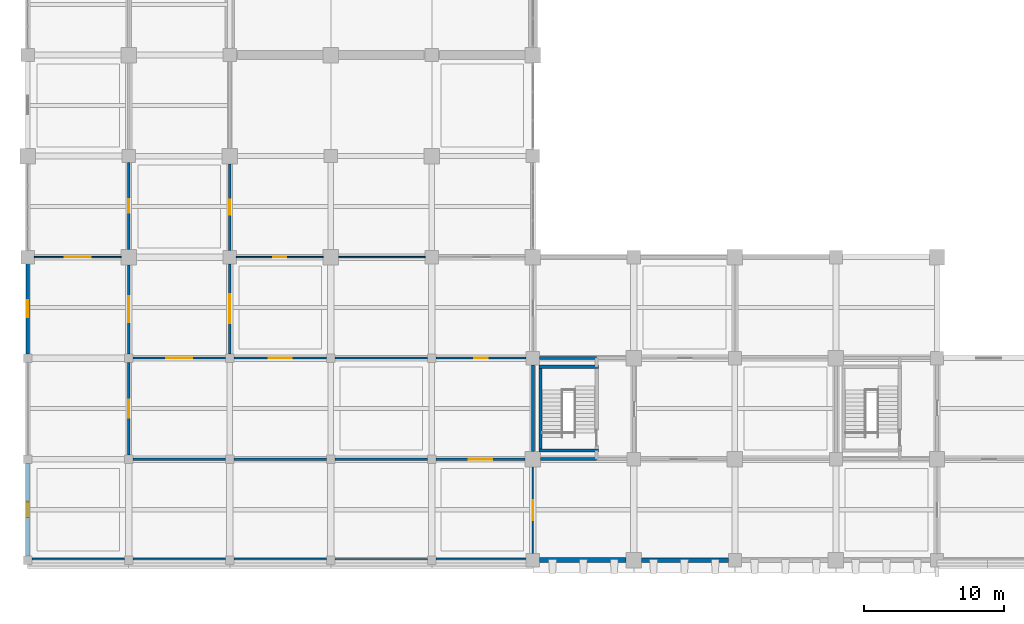
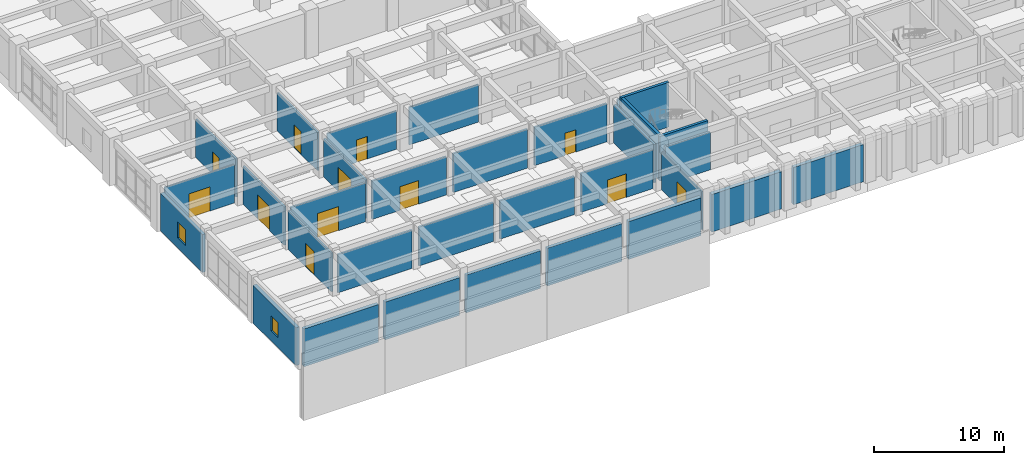
# One storey, part 59 of 81: 32 walls, 12 doors, 2 windows, 14 openings.
"""IFC4 building model written with IfcOpenShell, lengths in metres."""

from ifc_helpers import new_model, si_unit, direction, frame, frame_2d, origin, place, context, subcontext, project, spatial, rectangle, extrude, material, layer, layer_set, type_object, element, fill, save


model = new_model("IFC4")

# Units and contexts
model_context = context("Model", 3, precision=1e-05, world=origin(), true_north=direction((0.0, 1.0)))
body_context = subcontext(model_context, "Body", "Model", "MODEL_VIEW")
ifc_project = project(units=[si_unit("LENGTHUNIT", "METRE"), si_unit("AREAUNIT", "SQUARE_METRE"), si_unit("VOLUMEUNIT", "CUBIC_METRE"), si_unit("PLANEANGLEUNIT", "RADIAN"), si_unit("MASSUNIT", "GRAM", prefix="KILO")], contexts=[model_context])

# Site, building, storey
site_placement = place(None, origin())
site = spatial("IfcSite", under=ifc_project, at=site_placement, CompositionType="ELEMENT")
building_placement = place(site_placement, origin())
building = spatial("IfcBuilding", under=site, at=building_placement, Name="Kavelor Marine Aquarium", CompositionType="ELEMENT")
storey_placement = place(building_placement, frame((0.0, 0.0, 4.679931640625)))
storey = spatial("IfcBuildingStorey", under=building, at=storey_placement, Name="L01", CompositionType="ELEMENT", Elevation=4.679931640625)

# Walls
ifc_material_1 = material(Name="Concrete C45/55", Category="concrete")
ifc_layer_1 = layer(ifc_material_1, 0.360107421875)
ifc_layer_set_1 = layer_set([ifc_layer_1], Name="WL-EX1")
wall_type_1 = type_object("IfcWallType", Name="WL-EX1", PredefinedType="STANDARD", material=ifc_layer_set_1)
wall_1_placement = place(storey_placement, frame((45.85498046875, 2.800048828125, 0.0), z_axis=(0.0, 0.0, 1.0), x_axis=(-1.0, 0.0, 0.0)))
element("IfcWall", 1, at=wall_1_placement, inside=storey, type_object=wall_type_1, Name="ew:x:L01:05_00", PredefinedType="STANDARD", context=body_context, shape_type="SweptSolid", body=[
    extrude(rectangle(XDim=6.18505859375, YDim=0.360107421875, at=frame_2d((3.092529296875, 0.0))), origin(), (0.0, 0.0, 1.0), 3.510009765625),
])
ifc_material_2 = material(Name="Concrete C45/55", Category="concrete")
ifc_layer_2 = layer(ifc_material_2, 0.320068359375)
ifc_layer_set_2 = layer_set([ifc_layer_2], Name="WL-EX2")
wall_type_2 = type_object("IfcWallType", Name="WL-EX2", PredefinedType="STANDARD", material=ifc_layer_set_2)
wall_2_placement = place(storey_placement, frame((10.10498046875, 2.800048828125, 0.0), z_axis=(0.0, 0.0, 1.0), x_axis=(-1.0, 0.0, 0.0)))
element("IfcWall", 2, at=wall_2_placement, inside=storey, type_object=wall_type_2, Name="ew:x:L01:00_00", PredefinedType="STANDARD", context=body_context, shape_type="SweptSolid", body=[
    extrude(rectangle(XDim=6.60986328125, YDim=0.320068359375, at=frame_2d((3.304931640625, 0.0))), origin(), (0.0, 0.0, 1.0), 3.550048828125),
])
wall_3_placement = place(storey_placement, frame((53.1298828125, 2.800048828125, 0.0), z_axis=(0.0, 0.0, 1.0), x_axis=(-1.0, 0.0, 0.0)))
element("IfcWall", 3, at=wall_3_placement, inside=storey, type_object=wall_type_2, Name="ew:x:L01:06_00", PredefinedType="STANDARD", context=body_context, shape_type="SweptSolid", body=[
    extrude(rectangle(XDim=6.184814453125, YDim=0.320068359375, at=frame_2d((3.09228515625, 0.0))), origin(), (0.0, 0.0, 1.0), 3.489990234375),
])

# Wall, opening, window
wall_4_placement = place(storey_placement, frame((3.199951171875, 3.094970703125, 0.0), z_axis=(0.0, 0.0, 1.0), x_axis=(0.0, 1.0, 0.0)))
wall_4 = element("IfcWall", 4, at=wall_4_placement, inside=storey, type_object=wall_type_2, Name="ew:y:L01:00_00", PredefinedType="STANDARD", context=body_context, shape_type="SweptSolid", body=[
    extrude(rectangle(XDim=6.610107421875, YDim=0.320068359375, at=frame_2d((3.30517578125, 0.0))), origin(), (0.0, 0.0, 1.0), 3.550048828125),
])
opening_1_placement = place(wall_4_placement, frame((2.7548828125, 0.0, 0.949951171875)))
opening_1 = element("IfcOpeningElement", 5, at=opening_1_placement, cuts=wall_4, Name="Opening W01", PredefinedType="OPENING", context=body_context, shape_type="SweptSolid", body=[
    extrude(rectangle(XDim=1.10009765625, YDim=1.39990234375, at=frame_2d((0.550048828125, 0.699951171875))), frame((0.0, 0.169921875, 0.0), z_axis=(0.0, -1.0, 0.0), x_axis=(1.0, 0.0, 0.0)), (0.0, 0.0, 1.0), 0.340068),
])
ifc_material_3 = material(Name="Anodised Aluminium Frame with Low-E Double Glazing", Category="aluminium")
window_type_1 = type_object("IfcWindowType", Name="WIN-W01", PartitioningType="SINGLE_PANEL", PredefinedType="WINDOW", material=ifc_material_3)
window_1_placement = place(opening_1_placement, origin())
window_1 = element("IfcWindow", 6, at=window_1_placement, inside=storey, type_object=window_type_1, Name="win:y:L01:00_00", OverallHeight=1.39990234375, OverallWidth=1.10009765625, PartitioningType="SINGLE_PANEL", PredefinedType="WINDOW", context=body_context, shape_type="SweptSolid", body=[
    extrude(rectangle(XDim=1.10009765625, YDim=1.39990234375, at=frame_2d((0.550048828125, 0.699951171875))), frame((0.0, 0.030029296875, 0.0), z_axis=(0.0, -1.0, 0.0), x_axis=(1.0, 0.0, 0.0)), (0.0, 0.0, 1.0), 0.06005859375),
])
fill(opening_1, window_1)

# Walls
ifc_material_4 = material(Name="Concrete C40/50", Category="concrete")
ifc_layer_3 = layer(ifc_material_4, 0.300048828125)
ifc_layer_set_3 = layer_set([ifc_layer_3], Name="WL-EX3")
wall_type_3 = type_object("IfcWallType", Name="WL-EX3", PredefinedType="STANDARD", material=ifc_layer_set_3)
wall_5_placement = place(storey_placement, frame((17.304931640625, 2.800048828125, 0.0), z_axis=(0.0, 0.0, 1.0), x_axis=(-1.0, 0.0, 0.0)))
element("IfcWall", 7, at=wall_5_placement, inside=storey, type_object=wall_type_3, Name="ew:x:L01:01_00", PredefinedType="STANDARD", context=body_context, shape_type="SweptSolid", body=[
    extrude(rectangle(XDim=6.60986328125, YDim=0.300048828125, at=frame_2d((3.304931640625, 0.0))), origin(), (0.0, 0.0, 1.0), 3.550048828125),
])
ifc_material_5 = material(Name="Concrete C40/50", Category="concrete")
ifc_layer_4 = layer(ifc_material_5, 0.280029296875)
ifc_layer_set_4 = layer_set([ifc_layer_4], Name="WL-EX4")
wall_type_4 = type_object("IfcWallType", Name="WL-EX4", PredefinedType="STANDARD", material=ifc_layer_set_4)
wall_6_placement = place(storey_placement, frame((24.5048828125, 2.800048828125, 0.0), z_axis=(0.0, 0.0, 1.0), x_axis=(-1.0, 0.0, 0.0)))
element("IfcWall", 8, at=wall_6_placement, inside=storey, type_object=wall_type_4, Name="ew:x:L01:02_00", PredefinedType="STANDARD", context=body_context, shape_type="SweptSolid", body=[
    extrude(rectangle(XDim=6.60986328125, YDim=0.280029296875, at=frame_2d((3.304931640625, 0.0))), origin(), (0.0, 0.0, 1.0), 3.550048828125),
])

# Wall, opening, window
wall_7_placement = place(storey_placement, frame((3.199951171875, 17.4951171875, 0.0), z_axis=(0.0, 0.0, 1.0), x_axis=(0.0, 1.0, 0.0)))
wall_7 = element("IfcWall", 9, at=wall_7_placement, inside=storey, type_object=wall_type_4, Name="ew:y:L01:00_02", PredefinedType="STANDARD", context=body_context, shape_type="SweptSolid", body=[
    extrude(rectangle(XDim=6.434814453125, YDim=0.280029296875, at=frame_2d((3.21728515625, 0.0))), origin(), (0.0, 0.0, 1.0), 3.550048828125),
])
opening_2_placement = place(wall_7_placement, frame((2.617431640625, 0.0, 0.949951171875)))
opening_2 = element("IfcOpeningElement", 10, at=opening_2_placement, cuts=wall_7, Name="Opening W02", PredefinedType="OPENING", context=body_context, shape_type="SweptSolid", body=[
    extrude(rectangle(XDim=1.199951171875, YDim=1.5, at=frame_2d((0.60009765625, 0.75))), frame((0.0, 0.14990234375, 0.0), z_axis=(0.0, -1.0, 0.0), x_axis=(1.0, 0.0, 0.0)), (0.0, 0.0, 1.0), 0.300029),
])
ifc_material_6 = material(Name="Anodised Aluminium Frame with Low-E Double Glazing", Category="aluminium")
window_type_2 = type_object("IfcWindowType", Name="WIN-W02", PartitioningType="SINGLE_PANEL", PredefinedType="WINDOW", material=ifc_material_6)
window_2_placement = place(opening_2_placement, origin())
window_2 = element("IfcWindow", 11, at=window_2_placement, inside=storey, type_object=window_type_2, Name="win:y:L01:00_02", OverallHeight=1.5, OverallWidth=1.199951171875, PartitioningType="SINGLE_PANEL", PredefinedType="WINDOW", context=body_context, shape_type="SweptSolid", body=[
    extrude(rectangle(XDim=1.199951171875, YDim=1.5, at=frame_2d((0.60009765625, 0.75))), frame((0.0, 0.030029296875, 0.0), z_axis=(0.0, -1.0, 0.0), x_axis=(1.0, 0.0, 0.0)), (0.0, 0.0, 1.0), 0.06005859375),
])
fill(opening_2, window_2)

# Walls
ifc_material_7 = material(Name="Concrete C40/50", Category="concrete")
ifc_layer_5 = layer(ifc_material_7, 0.260009765625)
ifc_layer_set_5 = layer_set([ifc_layer_5], Name="WL-EX5")
wall_type_5 = type_object("IfcWallType", Name="WL-EX5", PredefinedType="STANDARD", material=ifc_layer_set_5)
wall_8_placement = place(storey_placement, frame((31.705078125, 2.800048828125, 0.0), z_axis=(0.0, 0.0, 1.0), x_axis=(-1.0, 0.0, 0.0)))
element("IfcWall", 12, at=wall_8_placement, inside=storey, type_object=wall_type_5, Name="ew:x:L01:03_00", PredefinedType="STANDARD", context=body_context, shape_type="SweptSolid", body=[
    extrude(rectangle(XDim=6.610107421875, YDim=0.260009765625, at=frame_2d((3.30517578125, 0.0))), origin(), (0.0, 0.0, 1.0), 3.550048828125),
])
ifc_material_8 = material(Name="Concrete C45/55", Category="concrete")
ifc_layer_6 = layer(ifc_material_8, 0.340087890625)
ifc_layer_set_6 = layer_set([ifc_layer_6], Name="WL-EX6")
wall_type_6 = type_object("IfcWallType", Name="WL-EX6", PredefinedType="STANDARD", material=ifc_layer_set_6)
wall_9_placement = place(storey_placement, frame((38.72998046875, 2.800048828125, 0.0), z_axis=(0.0, 0.0, 1.0), x_axis=(-1.0, 0.0, 0.0)))
element("IfcWall", 13, at=wall_9_placement, inside=storey, type_object=wall_type_6, Name="ew:x:L01:04_00", PredefinedType="STANDARD", context=body_context, shape_type="SweptSolid", body=[
    extrude(rectangle(XDim=6.43505859375, YDim=0.340087890625, at=frame_2d((3.217529296875, 0.0))), origin(), (0.0, 0.0, 1.0), 3.550048828125),
])
ifc_material_9 = material(Name="Concrete Blockwork Partition", Category="masonry")
ifc_layer_7 = layer(ifc_material_9, 0.199951171875)
ifc_layer_set_7 = layer_set([ifc_layer_7], Name="WL-PT1")
wall_type_7 = type_object("IfcWallType", Name="WL-PT1", PredefinedType="PARTITIONING", material=ifc_layer_set_7)
wall_10_placement = place(storey_placement, frame((39.199951171875, 10.550048828125, 0.0), z_axis=(0.0, 0.0, 1.0), x_axis=(0.0, 1.0, 0.0)))
element("IfcWall", 14, at=wall_10_placement, inside=storey, type_object=wall_type_7, Name="pt:lob:C04:L01:w", PredefinedType="PARTITIONING", context=body_context, shape_type="SweptSolid", body=[
    extrude(rectangle(XDim=6.175048828125, YDim=0.199951171875, at=frame_2d((3.08740234375, 0.0))), origin(), (0.0, 0.0, 1.0), 3.590087890625),
])
wall_11_placement = place(storey_placement, frame((39.75, 10.0, 0.0), z_axis=(0.0, 0.0, 1.0), x_axis=(1.0, 0.0, 0.0)))
element("IfcWall", 15, at=wall_11_placement, inside=storey, type_object=wall_type_7, Name="pt:lob:C04:L01:s_st", PredefinedType="PARTITIONING", context=body_context, shape_type="SweptSolid", body=[
    extrude(rectangle(XDim=3.989990234375, YDim=0.199951171875, at=frame_2d((1.9951171875, 0.0))), origin(), (0.0, 0.0, 1.0), 3.5400390625),
])
wall_12_placement = place(storey_placement, frame((39.675048828125, 17.199951171875, 0.0), z_axis=(0.0, 0.0, 1.0), x_axis=(1.0, 0.0, 0.0)))
element("IfcWall", 16, at=wall_12_placement, inside=storey, type_object=wall_type_7, Name="pt:lob:C04:L01:n_st", PredefinedType="PARTITIONING", context=body_context, shape_type="SweptSolid", body=[
    extrude(rectangle(XDim=4.06494140625, YDim=0.199951171875, at=frame_2d((2.032470703125, 0.0))), origin(), (0.0, 0.0, 1.0), 3.590087890625),
])

# Wall, opening, door
ifc_material_10 = material(Name="Acoustic Gypsum Stud Partition")
ifc_layer_8 = layer(ifc_material_10, 0.159912109375)
ifc_layer_set_8 = layer_set([ifc_layer_8], Name="WL-PT2")
wall_type_8 = type_object("IfcWallType", Name="WL-PT2", PredefinedType="PARTITIONING", material=ifc_layer_set_8)
wall_13_placement = place(storey_placement, frame((10.39990234375, 10.300048828125, 0.0), z_axis=(0.0, 0.0, 1.0), x_axis=(0.0, 1.0, 0.0)))
wall_13 = element("IfcWall", 17, at=wall_13_placement, inside=storey, type_object=wall_type_8, Name="pt:y:L01:00_01", PredefinedType="PARTITIONING", context=body_context, shape_type="SweptSolid", body=[
    extrude(rectangle(XDim=6.599853515625, YDim=0.159912109375, at=frame_2d((3.2998046875, 0.0))), origin(), (0.0, 0.0, 1.0), 3.650146484375),
])
opening_3_placement = place(wall_13_placement, frame((2.659912109375, 0.0, 0.0)))
opening_3 = element("IfcOpeningElement", 18, at=opening_3_placement, cuts=wall_13, Name="Opening D10", PredefinedType="OPENING", context=body_context, shape_type="SweptSolid", body=[
    extrude(rectangle(XDim=1.280029296875, YDim=2.199951171875, at=frame_2d((0.64013671875, 1.10009765625))), frame((0.0, 0.08984375, 0.0), z_axis=(0.0, -1.0, 0.0), x_axis=(1.0, 0.0, 0.0)), (0.0, 0.0, 1.0), 0.179912),
])
ifc_material_11 = material(Name="Equipment Store Wide Leaf Door")
door_type_1 = type_object("IfcDoorType", Name="DR-D10", OperationType="NOTDEFINED", PredefinedType="DOOR", material=ifc_material_11)
door_1_placement = place(opening_3_placement, origin())
door_1 = element("IfcDoor", 19, at=door_1_placement, inside=storey, type_object=door_type_1, Name="dr:rm:pt:y:L01:00_01:0", OperationType="SINGLE_SWING_RIGHT", OverallHeight=2.199951171875, OverallWidth=1.280029296875, PredefinedType="DOOR", context=body_context, shape_type="SweptSolid", body=[
    extrude(rectangle(XDim=1.280029296875, YDim=2.199951171875, at=frame_2d((0.64013671875, 1.10009765625))), frame((0.0, 0.02490234375, 0.0), z_axis=(0.0, -1.0, 0.0), x_axis=(1.0, 0.0, 0.0)), (0.0, 0.0, 1.0), 0.050048828125),
])
fill(opening_3, door_1)

wall_14_placement = place(storey_placement, frame((10.39990234375, 17.5, 0.0), z_axis=(0.0, 0.0, 1.0), x_axis=(0.0, 1.0, 0.0)))
wall_14 = element("IfcWall", 20, at=wall_14_placement, inside=storey, type_object=wall_type_8, Name="pt:y:L01:00_02", PredefinedType="PARTITIONING", context=body_context, shape_type="SweptSolid", body=[
    extrude(rectangle(XDim=6.35009765625, YDim=0.159912109375, at=frame_2d((3.175048828125, 0.0))), origin(), (0.0, 0.0, 1.0), 3.60009765625),
])
opening_4_placement = place(wall_14_placement, frame((2.2451171875, 0.0, 0.0)))
opening_4 = element("IfcOpeningElement", 21, at=opening_4_placement, cuts=wall_14, Name="Opening D13", PredefinedType="OPENING", context=body_context, shape_type="SweptSolid", body=[
    extrude(rectangle(XDim=1.860107421875, YDim=2.260009765625, at=frame_2d((0.93017578125, 1.1298828125))), frame((0.0, 0.08984375, 0.0), z_axis=(0.0, -1.0, 0.0), x_axis=(1.0, 0.0, 0.0)), (0.0, 0.0, 1.0), 0.179912),
])
ifc_material_12 = material(Name="Main Foyer Exhibition Double Door")
door_type_2 = type_object("IfcDoorType", Name="DR-D13", OperationType="NOTDEFINED", PredefinedType="DOOR", material=ifc_material_12)
door_2_placement = place(opening_4_placement, origin())
door_2 = element("IfcDoor", 22, at=door_2_placement, inside=storey, type_object=door_type_2, Name="dr:rm:pt:y:L01:00_02:0", OperationType="DOUBLE_DOOR_SINGLE_SWING", OverallHeight=2.260009765625, OverallWidth=1.860107421875, PredefinedType="DOOR", context=body_context, shape_type="SweptSolid", body=[
    extrude(rectangle(XDim=1.860107421875, YDim=2.260009765625, at=frame_2d((0.93017578125, 1.1298828125))), frame((0.0, 0.02490234375, 0.0), z_axis=(0.0, -1.0, 0.0), x_axis=(1.0, 0.0, 0.0)), (0.0, 0.0, 1.0), 0.050048828125),
])
fill(opening_4, door_2)

wall_15_placement = place(storey_placement, frame((10.39990234375, 24.949951171875, 0.0), z_axis=(0.0, 0.0, 1.0), x_axis=(0.0, 1.0, 0.0)))
wall_15 = element("IfcWall", 23, at=wall_15_placement, inside=storey, type_object=wall_type_8, Name="pt:y:L01:00_03", PredefinedType="PARTITIONING", context=body_context, shape_type="SweptSolid", body=[
    extrude(rectangle(XDim=6.175048828125, YDim=0.159912109375, at=frame_2d((3.08740234375, 0.0))), origin(), (0.0, 0.0, 1.0), 3.590087890625),
])
opening_5_placement = place(wall_15_placement, frame((2.597412109375, 0.0, 0.0)))
opening_5 = element("IfcOpeningElement", 24, at=opening_5_placement, cuts=wall_15, Name="Opening D07", PredefinedType="OPENING", context=body_context, shape_type="SweptSolid", body=[
    extrude(rectangle(XDim=0.97998046875, YDim=2.1201171875, at=frame_2d((0.489990234375, 1.06005859375))), frame((0.0, 0.08984375, 0.0), z_axis=(0.0, -1.0, 0.0), x_axis=(1.0, 0.0, 0.0)), (0.0, 0.0, 1.0), 0.179912),
])
ifc_material_13 = material(Name="Research Write-Up Timber Door", Category="wood")
door_type_3 = type_object("IfcDoorType", Name="DR-D07", OperationType="NOTDEFINED", PredefinedType="DOOR", material=ifc_material_13)
door_3_placement = place(opening_5_placement, origin())
door_3 = element("IfcDoor", 25, at=door_3_placement, inside=storey, type_object=door_type_3, Name="dr:rm:pt:y:L01:00_03:0", OperationType="SINGLE_SWING_LEFT", OverallHeight=2.1201171875, OverallWidth=0.97998046875, PredefinedType="DOOR", context=body_context, shape_type="SweptSolid", body=[
    extrude(rectangle(XDim=0.97998046875, YDim=2.1201171875, at=frame_2d((0.489990234375, 1.06005859375))), frame((0.0, 0.02490234375, 0.0), z_axis=(0.0, -1.0, 0.0), x_axis=(1.0, 0.0, 0.0)), (0.0, 0.0, 1.0), 0.050048828125),
])
fill(opening_5, door_3)

# Wall
wall_16_placement = place(storey_placement, frame((10.699951171875, 10.0, 0.0), z_axis=(0.0, 0.0, 1.0), x_axis=(1.0, 0.0, 0.0)))
element("IfcWall", 26, at=wall_16_placement, inside=storey, type_object=wall_type_8, Name="pt:x:L01:01_00", PredefinedType="PARTITIONING", context=body_context, shape_type="SweptSolid", body=[
    extrude(rectangle(XDim=6.60009765625, YDim=0.159912109375, at=frame_2d((3.300048828125, 0.0))), origin(), (0.0, 0.0, 1.0), 3.60009765625),
])

# Wall, opening, door
wall_17_placement = place(storey_placement, frame((10.699951171875, 17.199951171875, 0.0), z_axis=(0.0, 0.0, 1.0), x_axis=(1.0, 0.0, 0.0)))
wall_17 = element("IfcWall", 27, at=wall_17_placement, inside=storey, type_object=wall_type_8, Name="pt:x:L01:01_01", PredefinedType="PARTITIONING", context=body_context, shape_type="SweptSolid", body=[
    extrude(rectangle(XDim=6.60009765625, YDim=0.159912109375, at=frame_2d((3.300048828125, 0.0))), origin(), (0.0, 0.0, 1.0), 3.650146484375),
])
opening_6_placement = place(wall_17_placement, frame((2.3701171875, 0.0, 0.0)))
opening_6 = element("IfcOpeningElement", 28, at=opening_6_placement, cuts=wall_17, Name="Opening D13", PredefinedType="OPENING", context=body_context, shape_type="SweptSolid", body=[
    extrude(rectangle(XDim=1.860107421875, YDim=2.260009765625, at=frame_2d((0.93017578125, 1.1298828125))), frame((0.0, 0.08984375, 0.0), z_axis=(0.0, -1.0, 0.0), x_axis=(1.0, 0.0, 0.0)), (0.0, 0.0, 1.0), 0.179912),
])
door_4_placement = place(opening_6_placement, origin())
door_4 = element("IfcDoor", 29, at=door_4_placement, inside=storey, type_object=door_type_2, Name="dr:rm:pt:x:L01:01_01:0", OperationType="DOUBLE_DOOR_SINGLE_SWING", OverallHeight=2.260009765625, OverallWidth=1.860107421875, PredefinedType="DOOR", context=body_context, shape_type="SweptSolid", body=[
    extrude(rectangle(XDim=1.860107421875, YDim=2.260009765625, at=frame_2d((0.93017578125, 1.1298828125))), frame((0.0, 0.02490234375, 0.0), z_axis=(0.0, -1.0, 0.0), x_axis=(1.0, 0.0, 0.0)), (0.0, 0.0, 1.0), 0.050048828125),
])
fill(opening_6, door_4)

wall_18_placement = place(storey_placement, frame((17.60009765625, 17.5, 0.0), z_axis=(0.0, 0.0, 1.0), x_axis=(0.0, 1.0, 0.0)))
wall_18 = element("IfcWall", 30, at=wall_18_placement, inside=storey, type_object=wall_type_8, Name="pt:y:L01:01_02", PredefinedType="PARTITIONING", context=body_context, shape_type="SweptSolid", body=[
    extrude(rectangle(XDim=6.425048828125, YDim=0.159912109375, at=frame_2d((3.21240234375, 0.0))), origin(), (0.0, 0.0, 1.0), 3.60009765625),
])
opening_7_placement = place(wall_18_placement, frame((2.1826171875, 0.0, 0.0)))
opening_7 = element("IfcOpeningElement", 31, at=opening_7_placement, cuts=wall_18, Name="Opening D14", PredefinedType="OPENING", context=body_context, shape_type="SweptSolid", body=[
    extrude(rectangle(XDim=2.06005859375, YDim=2.280029296875, at=frame_2d((1.030029296875, 1.14013671875))), frame((0.0, 0.08984375, 0.0), z_axis=(0.0, -1.0, 0.0), x_axis=(1.0, 0.0, 0.0)), (0.0, 0.0, 1.0), 0.179912),
])
ifc_material_14 = material(Name="LSS Filtration Equipment Double Door")
door_type_4 = type_object("IfcDoorType", Name="DR-D14", OperationType="NOTDEFINED", PredefinedType="DOOR", material=ifc_material_14)
door_5_placement = place(opening_7_placement, origin())
door_5 = element("IfcDoor", 32, at=door_5_placement, inside=storey, type_object=door_type_4, Name="dr:rm:pt:y:L01:01_02:0", OperationType="DOUBLE_DOOR_SINGLE_SWING", OverallHeight=2.280029296875, OverallWidth=2.06005859375, PredefinedType="DOOR", context=body_context, shape_type="SweptSolid", body=[
    extrude(rectangle(XDim=2.06005859375, YDim=2.280029296875, at=frame_2d((1.030029296875, 1.14013671875))), frame((0.0, 0.02490234375, 0.0), z_axis=(0.0, -1.0, 0.0), x_axis=(1.0, 0.0, 0.0)), (0.0, 0.0, 1.0), 0.050048828125),
])
fill(opening_7, door_5)

wall_19_placement = place(storey_placement, frame((17.60009765625, 24.875, 0.0), z_axis=(0.0, 0.0, 1.0), x_axis=(0.0, 1.0, 0.0)))
wall_19 = element("IfcWall", 33, at=wall_19_placement, inside=storey, type_object=wall_type_8, Name="pt:y:L01:01_03", PredefinedType="PARTITIONING", context=body_context, shape_type="SweptSolid", body=[
    extrude(rectangle(XDim=6.175048828125, YDim=0.159912109375, at=frame_2d((3.08740234375, 0.0))), origin(), (0.0, 0.0, 1.0), 3.590087890625),
])
opening_8_placement = place(wall_19_placement, frame((2.547607421875, 0.0, 0.0)))
opening_8 = element("IfcOpeningElement", 34, at=opening_8_placement, cuts=wall_19, Name="Opening D08", PredefinedType="OPENING", context=body_context, shape_type="SweptSolid", body=[
    extrude(rectangle(XDim=1.080078125, YDim=2.159912109375, at=frame_2d((0.5400390625, 1.080078125))), frame((0.0, 0.08984375, 0.0), z_axis=(0.0, -1.0, 0.0), x_axis=(1.0, 0.0, 0.0)), (0.0, 0.0, 1.0), 0.179912),
])
ifc_material_15 = material(Name="Discovery Wet Lab Vision Door")
door_type_5 = type_object("IfcDoorType", Name="DR-D08", OperationType="NOTDEFINED", PredefinedType="DOOR", material=ifc_material_15)
door_6_placement = place(opening_8_placement, origin())
door_6 = element("IfcDoor", 35, at=door_6_placement, inside=storey, type_object=door_type_5, Name="dr:rm:pt:y:L01:01_03:0", OperationType="SINGLE_SWING_LEFT", OverallHeight=2.159912109375, OverallWidth=1.080078125, PredefinedType="DOOR", context=body_context, shape_type="SweptSolid", body=[
    extrude(rectangle(XDim=1.080078125, YDim=2.159912109375, at=frame_2d((0.5400390625, 1.080078125))), frame((0.0, 0.02490234375, 0.0), z_axis=(0.0, -1.0, 0.0), x_axis=(1.0, 0.0, 0.0)), (0.0, 0.0, 1.0), 0.050048828125),
])
fill(opening_8, door_6)

# Wall
wall_20_placement = place(storey_placement, frame((17.89990234375, 10.0, 0.0), z_axis=(0.0, 0.0, 1.0), x_axis=(1.0, 0.0, 0.0)))
element("IfcWall", 36, at=wall_20_placement, inside=storey, type_object=wall_type_8, Name="pt:x:L01:02_00", PredefinedType="PARTITIONING", context=body_context, shape_type="SweptSolid", body=[
    extrude(rectangle(XDim=6.60009765625, YDim=0.159912109375, at=frame_2d((3.300048828125, 0.0))), origin(), (0.0, 0.0, 1.0), 3.650146484375),
])

# Wall, opening, door
wall_21_placement = place(storey_placement, frame((17.89990234375, 17.199951171875, 0.0), z_axis=(0.0, 0.0, 1.0), x_axis=(1.0, 0.0, 0.0)))
wall_21 = element("IfcWall", 37, at=wall_21_placement, inside=storey, type_object=wall_type_8, Name="pt:x:L01:02_01", PredefinedType="PARTITIONING", context=body_context, shape_type="SweptSolid", body=[
    extrude(rectangle(XDim=6.60009765625, YDim=0.159912109375, at=frame_2d((3.300048828125, 0.0))), origin(), (0.0, 0.0, 1.0), 3.60009765625),
])
opening_9_placement = place(wall_21_placement, frame((2.469970703125, 0.0, 0.0)))
opening_9 = element("IfcOpeningElement", 38, at=opening_9_placement, cuts=wall_21, Name="Opening D12", PredefinedType="OPENING", context=body_context, shape_type="SweptSolid", body=[
    extrude(rectangle(XDim=1.659912109375, YDim=2.219970703125, at=frame_2d((0.830078125, 1.10986328125))), frame((0.0, 0.08984375, 0.0), z_axis=(0.0, -1.0, 0.0), x_axis=(1.0, 0.0, 0.0)), (0.0, 0.0, 1.0), 0.179912),
])
ifc_material_16 = material(Name="Amphitheatre Vestibule Double Door")
door_type_6 = type_object("IfcDoorType", Name="DR-D12", OperationType="NOTDEFINED", PredefinedType="DOOR", material=ifc_material_16)
door_7_placement = place(opening_9_placement, origin())
door_7 = element("IfcDoor", 39, at=door_7_placement, inside=storey, type_object=door_type_6, Name="dr:rm:pt:x:L01:02_01:0", OperationType="DOUBLE_DOOR_SINGLE_SWING", OverallHeight=2.219970703125, OverallWidth=1.659912109375, PredefinedType="DOOR", context=body_context, shape_type="SweptSolid", body=[
    extrude(rectangle(XDim=1.659912109375, YDim=2.219970703125, at=frame_2d((0.830078125, 1.10986328125))), frame((0.0, 0.02490234375, 0.0), z_axis=(0.0, -1.0, 0.0), x_axis=(1.0, 0.0, 0.0)), (0.0, 0.0, 1.0), 0.050048828125),
])
fill(opening_9, door_7)

# Walls
wall_22_placement = place(storey_placement, frame((25.10009765625, 10.0, 0.0), z_axis=(0.0, 0.0, 1.0), x_axis=(1.0, 0.0, 0.0)))
element("IfcWall", 40, at=wall_22_placement, inside=storey, type_object=wall_type_8, Name="pt:x:L01:03_00", PredefinedType="PARTITIONING", context=body_context, shape_type="SweptSolid", body=[
    extrude(rectangle(XDim=6.599853515625, YDim=0.159912109375, at=frame_2d((3.2998046875, 0.0))), origin(), (0.0, 0.0, 1.0), 3.60009765625),
])
wall_23_placement = place(storey_placement, frame((25.10009765625, 17.199951171875, 0.0), z_axis=(0.0, 0.0, 1.0), x_axis=(1.0, 0.0, 0.0)))
element("IfcWall", 41, at=wall_23_placement, inside=storey, type_object=wall_type_8, Name="pt:x:L01:03_01", PredefinedType="PARTITIONING", context=body_context, shape_type="SweptSolid", body=[
    extrude(rectangle(XDim=6.599853515625, YDim=0.159912109375, at=frame_2d((3.2998046875, 0.0))), origin(), (0.0, 0.0, 1.0), 3.650146484375),
])

# Wall, opening, door
wall_24_placement = place(storey_placement, frame((32.300048828125, 10.0, 0.0), z_axis=(0.0, 0.0, 1.0), x_axis=(1.0, 0.0, 0.0)))
wall_24 = element("IfcWall", 42, at=wall_24_placement, inside=storey, type_object=wall_type_8, Name="pt:x:L01:04_00", PredefinedType="PARTITIONING", context=body_context, shape_type="SweptSolid", body=[
    extrude(rectangle(XDim=6.349853515625, YDim=0.159912109375, at=frame_2d((3.1748046875, 0.0))), origin(), (0.0, 0.0, 1.0), 3.650146484375),
])
opening_10_placement = place(wall_24_placement, frame((2.344970703125, 0.0, 0.0)))
opening_10 = element("IfcOpeningElement", 43, at=opening_10_placement, cuts=wall_24, Name="Opening D12", PredefinedType="OPENING", context=body_context, shape_type="SweptSolid", body=[
    extrude(rectangle(XDim=1.659912109375, YDim=2.219970703125, at=frame_2d((0.830078125, 1.10986328125))), frame((0.0, 0.08984375, 0.0), z_axis=(0.0, -1.0, 0.0), x_axis=(1.0, 0.0, 0.0)), (0.0, 0.0, 1.0), 0.179912),
])
door_8_placement = place(opening_10_placement, origin())
door_8 = element("IfcDoor", 44, at=door_8_placement, inside=storey, type_object=door_type_6, Name="dr:rm:pt:x:L01:04_00:1", OperationType="DOUBLE_DOOR_SINGLE_SWING", OverallHeight=2.219970703125, OverallWidth=1.659912109375, PredefinedType="DOOR", context=body_context, shape_type="SweptSolid", body=[
    extrude(rectangle(XDim=1.659912109375, YDim=2.219970703125, at=frame_2d((0.830078125, 1.10986328125))), frame((0.0, 0.02490234375, 0.0), z_axis=(0.0, -1.0, 0.0), x_axis=(1.0, 0.0, 0.0)), (0.0, 0.0, 1.0), 0.050048828125),
])
fill(opening_10, door_8)

wall_25_placement = place(storey_placement, frame((32.300048828125, 17.199951171875, 0.0), z_axis=(0.0, 0.0, 1.0), x_axis=(1.0, 0.0, 0.0)))
wall_25 = element("IfcWall", 45, at=wall_25_placement, inside=storey, type_object=wall_type_8, Name="pt:x:L01:04_01", PredefinedType="PARTITIONING", context=body_context, shape_type="SweptSolid", body=[
    extrude(rectangle(XDim=6.425048828125, YDim=0.159912109375, at=frame_2d((3.21240234375, 0.0))), origin(), (0.0, 0.0, 1.0), 3.60009765625),
])
opening_11_placement = place(wall_25_placement, frame((2.732421875, 0.0, 0.0)))
opening_11 = element("IfcOpeningElement", 46, at=opening_11_placement, cuts=wall_25, Name="Opening D01", PredefinedType="OPENING", context=body_context, shape_type="SweptSolid", body=[
    extrude(rectangle(XDim=0.9599609375, YDim=2.10009765625, at=frame_2d((0.47998046875, 1.050048828125))), frame((0.0, 0.08984375, 0.0), z_axis=(0.0, -1.0, 0.0), x_axis=(1.0, 0.0, 0.0)), (0.0, 0.0, 1.0), 0.179912),
])
ifc_material_17 = material(Name="Solid-Core Acoustic Timber Laboratory Door", Category="wood")
door_type_7 = type_object("IfcDoorType", Name="DR-D01", OperationType="NOTDEFINED", PredefinedType="DOOR", material=ifc_material_17)
door_9_placement = place(opening_11_placement, origin())
door_9 = element("IfcDoor", 47, at=door_9_placement, inside=storey, type_object=door_type_7, Name="dr:rm:pt:x:L01:04_01:1", OperationType="SINGLE_SWING_RIGHT", OverallHeight=2.10009765625, OverallWidth=0.9599609375, PredefinedType="DOOR", context=body_context, shape_type="SweptSolid", body=[
    extrude(rectangle(XDim=0.9599609375, YDim=2.10009765625, at=frame_2d((0.47998046875, 1.050048828125))), frame((0.0, 0.02490234375, 0.0), z_axis=(0.0, -1.0, 0.0), x_axis=(1.0, 0.0, 0.0)), (0.0, 0.0, 1.0), 0.050048828125),
])
fill(opening_11, door_9)

ifc_material_18 = material(Name="Lightweight Drywall Partition")
ifc_layer_9 = layer(ifc_material_18, 0.1201171875)
ifc_layer_set_9 = layer_set([ifc_layer_9], Name="WL-PT4")
wall_type_9 = type_object("IfcWallType", Name="WL-PT4", PredefinedType="PARTITIONING", material=ifc_layer_set_9)
wall_26_placement = place(storey_placement, frame((3.675048828125, 24.39990234375, 0.0), z_axis=(0.0, 0.0, 1.0), x_axis=(1.0, 0.0, 0.0)))
wall_26 = element("IfcWall", 48, at=wall_26_placement, inside=storey, type_object=wall_type_9, Name="pt:x:L01:00_02", PredefinedType="PARTITIONING", context=body_context, shape_type="SweptSolid", body=[
    extrude(rectangle(XDim=6.175048828125, YDim=0.1201171875, at=frame_2d((3.08740234375, 0.0))), origin(), (0.0, 0.0, 1.0), 3.610107421875),
])
opening_12_placement = place(wall_26_placement, frame((2.157470703125, 0.0, 0.0)))
opening_12 = element("IfcOpeningElement", 49, at=opening_12_placement, cuts=wall_26, Name="Opening D13", PredefinedType="OPENING", context=body_context, shape_type="SweptSolid", body=[
    extrude(rectangle(XDim=1.860107421875, YDim=2.260009765625, at=frame_2d((0.93017578125, 1.1298828125))), frame((0.0, 0.070068359375, 0.0), z_axis=(0.0, -1.0, 0.0), x_axis=(1.0, 0.0, 0.0)), (0.0, 0.0, 1.0), 0.140117),
])
door_10_placement = place(opening_12_placement, origin())
door_10 = element("IfcDoor", 50, at=door_10_placement, inside=storey, type_object=door_type_2, Name="dr:rm:pt:x:L01:00_02:0", OperationType="DOUBLE_DOOR_SINGLE_SWING", OverallHeight=2.260009765625, OverallWidth=1.860107421875, PredefinedType="DOOR", context=body_context, shape_type="SweptSolid", body=[
    extrude(rectangle(XDim=1.860107421875, YDim=2.260009765625, at=frame_2d((0.93017578125, 1.1298828125))), frame((0.0, 0.02490234375, 0.0), z_axis=(0.0, -1.0, 0.0), x_axis=(1.0, 0.0, 0.0)), (0.0, 0.0, 1.0), 0.050048828125),
])
fill(opening_12, door_10)

wall_27_placement = place(storey_placement, frame((18.074951171875, 24.39990234375, 0.0), z_axis=(0.0, 0.0, 1.0), x_axis=(1.0, 0.0, 0.0)))
wall_27 = element("IfcWall", 51, at=wall_27_placement, inside=storey, type_object=wall_type_9, Name="pt:x:L01:02_02", PredefinedType="PARTITIONING", context=body_context, shape_type="SweptSolid", body=[
    extrude(rectangle(XDim=6.175048828125, YDim=0.1201171875, at=frame_2d((3.08740234375, 0.0))), origin(), (0.0, 0.0, 1.0), 3.610107421875),
])
opening_13_placement = place(wall_27_placement, frame((2.607421875, 0.0, 0.0)))
opening_13 = element("IfcOpeningElement", 52, at=opening_13_placement, cuts=wall_27, Name="Opening D01", PredefinedType="OPENING", context=body_context, shape_type="SweptSolid", body=[
    extrude(rectangle(XDim=0.9599609375, YDim=2.10009765625, at=frame_2d((0.47998046875, 1.050048828125))), frame((0.0, 0.070068359375, 0.0), z_axis=(0.0, -1.0, 0.0), x_axis=(1.0, 0.0, 0.0)), (0.0, 0.0, 1.0), 0.140117),
])
door_11_placement = place(opening_13_placement, origin())
door_11 = element("IfcDoor", 53, at=door_11_placement, inside=storey, type_object=door_type_7, Name="dr:rm:pt:x:L01:02_02:0", OperationType="SINGLE_SWING_LEFT", OverallHeight=2.10009765625, OverallWidth=0.9599609375, PredefinedType="DOOR", context=body_context, shape_type="SweptSolid", body=[
    extrude(rectangle(XDim=0.9599609375, YDim=2.10009765625, at=frame_2d((0.47998046875, 1.050048828125))), frame((0.0, 0.02490234375, 0.0), z_axis=(0.0, -1.0, 0.0), x_axis=(1.0, 0.0, 0.0)), (0.0, 0.0, 1.0), 0.050048828125),
])
fill(opening_13, door_11)

# Wall
wall_28_placement = place(storey_placement, frame((25.35009765625, 24.39990234375, 0.0), z_axis=(0.0, 0.0, 1.0), x_axis=(1.0, 0.0, 0.0)))
element("IfcWall", 54, at=wall_28_placement, inside=storey, type_object=wall_type_9, Name="pt:x:L01:03_02", PredefinedType="PARTITIONING", context=body_context, shape_type="SweptSolid", body=[
    extrude(rectangle(XDim=6.1748046875, YDim=0.1201171875, at=frame_2d((3.08740234375, 0.0))), origin(), (0.0, 0.0, 1.0), 3.5400390625),
])

# Wall, opening, door
wall_29_placement = place(storey_placement, frame((39.199951171875, 3.27490234375, 0.0), z_axis=(0.0, 0.0, 1.0), x_axis=(0.0, 1.0, 0.0)))
wall_29 = element("IfcWall", 55, at=wall_29_placement, inside=storey, type_object=wall_type_9, Name="pt:y:L01:04_00", PredefinedType="PARTITIONING", context=body_context, shape_type="SweptSolid", body=[
    extrude(rectangle(XDim=6.175048828125, YDim=0.1201171875, at=frame_2d((3.08740234375, 0.0))), origin(), (0.0, 0.0, 1.0), 3.56005859375),
])
opening_14_placement = place(wall_29_placement, frame((2.367431640625, 0.0, 0.0)))
opening_14 = element("IfcOpeningElement", 56, at=opening_14_placement, cuts=wall_29, Name="Opening D11", PredefinedType="OPENING", context=body_context, shape_type="SweptSolid", body=[
    extrude(rectangle(XDim=1.43994140625, YDim=2.199951171875, at=frame_2d((0.719970703125, 1.10009765625))), frame((0.0, 0.070068359375, 0.0), z_axis=(0.0, -1.0, 0.0), x_axis=(1.0, 0.0, 0.0)), (0.0, 0.0, 1.0), 0.140117),
])
ifc_material_19 = material(Name="Seminar Studio Double Door")
door_type_8 = type_object("IfcDoorType", Name="DR-D11", OperationType="NOTDEFINED", PredefinedType="DOOR", material=ifc_material_19)
door_12_placement = place(opening_14_placement, origin())
door_12 = element("IfcDoor", 57, at=door_12_placement, inside=storey, type_object=door_type_8, Name="dr:rm:pt:y:L01:04_00:0", OperationType="DOUBLE_DOOR_SINGLE_SWING", OverallHeight=2.199951171875, OverallWidth=1.43994140625, PredefinedType="DOOR", context=body_context, shape_type="SweptSolid", body=[
    extrude(rectangle(XDim=1.43994140625, YDim=2.199951171875, at=frame_2d((0.719970703125, 1.10009765625))), frame((0.0, 0.02490234375, 0.0), z_axis=(0.0, -1.0, 0.0), x_axis=(1.0, 0.0, 0.0)), (0.0, 0.0, 1.0), 0.050048828125),
])
fill(opening_14, door_12)

# Walls
ifc_material_20 = material(Name="Concrete C40/50", Category="concrete")
ifc_layer_10 = layer(ifc_material_20, 0.35009765625)
ifc_layer_set_10 = layer_set([ifc_layer_10], Name="WL-SW2")
wall_type_10 = type_object("IfcWallType", Name="WL-SW2", PredefinedType="SHEAR", material=ifc_layer_set_10)
for number, where, z_axis, x_axis, name in (
    (58, (39.6201171875, 10.6201171875, 0.0), (0.0, 0.0, 1.0), (1.0, 0.0, 0.0), "cw_st:s:C04:L01"),
    (59, (39.6201171875, 16.580078125, 0.0), (0.0, 0.0, 1.0), (1.0, 0.0, 0.0), "cw_st:n:C04:L01"),
):
    element("IfcWall", number, at=place(storey_placement, frame(where, z_axis=z_axis, x_axis=x_axis)), inside=storey, type_object=wall_type_10, Name=name, PredefinedType="SHEAR", context=body_context, shape_type="SweptSolid", body=[
        extrude(rectangle(XDim=4.239990234375, YDim=0.239990234375, at=frame_2d((2.1201171875, 0.0))), origin(), (0.0, 0.0, 1.0), 4.199951171875),
    ])
wall_30_placement = place(storey_placement, frame((39.739990234375, 10.739990234375, 0.0), z_axis=(0.0, 0.0, 1.0), x_axis=(0.0, 1.0, 0.0)))
element("IfcWall", 60, at=wall_30_placement, inside=storey, type_object=wall_type_10, Name="cw_st:w:C04:L01", PredefinedType="SHEAR", context=body_context, shape_type="SweptSolid", body=[
    extrude(rectangle(XDim=5.719970703125, YDim=0.239990234375, at=frame_2d((2.85986328125, 0.0))), origin(), (0.0, 0.0, 1.0), 4.199951171875),
])

save(model, "model.ifc")
